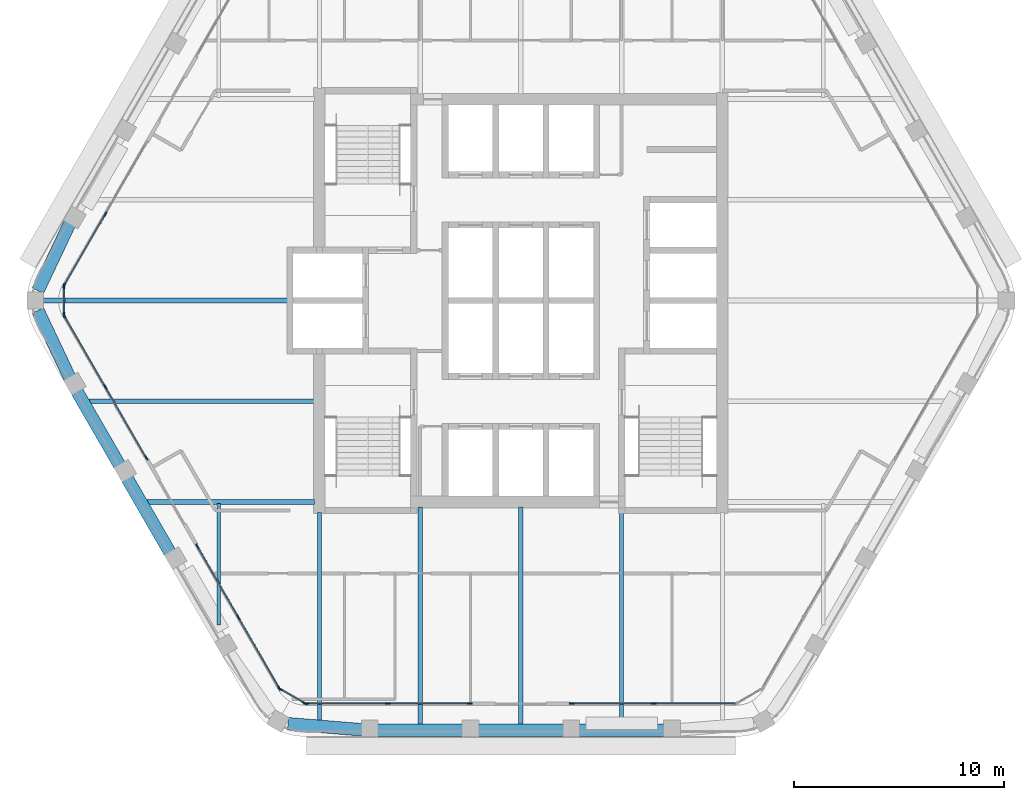
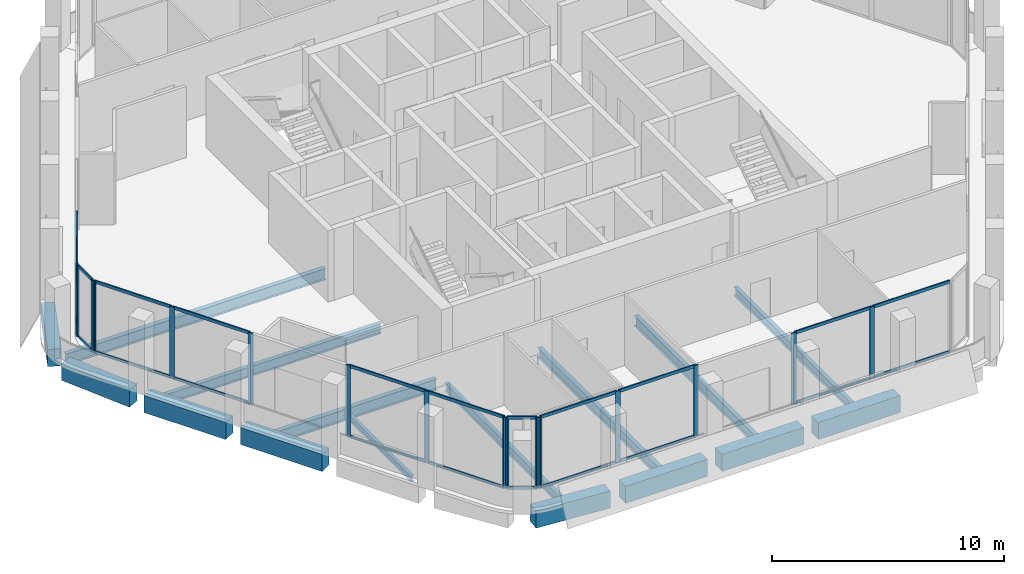
# One storey, part 2 of 13: 39 members, 16 beams, 7 elements without a shape of their own.
"""IFC4 building model written with IfcOpenShell, lengths in metres."""

from ifc_helpers import new_model, si_unit, direction, frame, origin, origin_2d, place, context, subcontext, project, spatial, rectangle, i_section, extrude, material, material_profile, profile_set, type_object, element, aggregate, save


model = new_model("IFC4")

# Units and contexts
model_context = context("Model", 3, precision=1e-05, world=origin(), true_north=direction((0.0, 1.0)))
body_context = subcontext(model_context, "Body", "Model", "MODEL_VIEW")
ifc_project = project(units=[si_unit("LENGTHUNIT", "METRE"), si_unit("AREAUNIT", "SQUARE_METRE"), si_unit("VOLUMEUNIT", "CUBIC_METRE"), si_unit("PLANEANGLEUNIT", "RADIAN"), si_unit("MASSUNIT", "GRAM", prefix="KILO")], contexts=[model_context])

# Site, building, storey
site_placement = place(None, origin())
site = spatial("IfcSite", under=ifc_project, at=site_placement, CompositionType="ELEMENT")
building_placement = place(site_placement, origin())
building = spatial("IfcBuilding", under=site, at=building_placement, Name="Kolab Exchange Tower", CompositionType="ELEMENT")
storey_placement = place(building_placement, frame((0.0, 0.0, 226.699951171875)))
storey = spatial("IfcBuildingStorey", under=building, at=storey_placement, Name="L49", CompositionType="ELEMENT", Elevation=226.699951171875)

# Beams
ifc_material_1 = material(Name="Steel S355", Category="steel")
ifc_material_profile_1 = material_profile(ifc_material_1, i_section(OverallWidth=0.1650390625, OverallDepth=0.31005859375, WebThickness=0.005859375, FlangeThickness=0.009765625, at=origin_2d()), Name="W310X39")
ifc_profile_set_1 = profile_set([ifc_material_profile_1], Name="Steel S355")
beam_type_1 = type_object("IfcBeamType", Name="FLOOR BEAM W310X39", PredefinedType="BEAM", material=ifc_profile_set_1)
beam_1_placement = place(storey_placement, frame((-14.39990234375, -15.4677734375, -0.304931640625), z_axis=(0.0, 1.0, 0.0), x_axis=(-1.0, 0.0, 0.0)))
element("IfcBeam", 1, at=beam_1_placement, inside=storey, type_object=beam_type_1, Name="beam/L49/fr/003", PredefinedType="BEAM", context=body_context, shape_type="SweptSolid", body=[
    extrude(i_section(OverallWidth=0.1650390625, OverallDepth=0.31005859375, WebThickness=0.005859375, FlangeThickness=0.009765625, at=origin_2d()), origin(), (0.0, 0.0, 1.0), 5.793701171875),
])
ifc_material_profile_2 = material_profile(ifc_material_1, i_section(OverallWidth=0.18994140625, OverallDepth=0.45703125, WebThickness=0.009033203125, FlangeThickness=0.014404296875, at=origin_2d()), Name="W460X74")
ifc_profile_set_2 = profile_set([ifc_material_profile_2], Name="Steel S355")
beam_type_2 = type_object("IfcBeamType", Name="FLOOR BEAM W460X74", PredefinedType="BEAM", material=ifc_profile_set_2)
beam_2_placement = place(storey_placement, frame((-9.60009765625, -20.027099609375, -0.37841796875), z_axis=(0.0, 1.0, 0.0), x_axis=(-1.0, 0.0, 0.0)))
element("IfcBeam", 2, at=beam_2_placement, inside=storey, type_object=beam_type_2, Name="beam/L49/fr/005", PredefinedType="BEAM", context=body_context, shape_type="SweptSolid", body=[
    extrude(i_section(OverallWidth=0.18994140625, OverallDepth=0.45703125, WebThickness=0.009033203125, FlangeThickness=0.014404296875, at=origin_2d()), origin(), (0.0, 0.0, 1.0), 9.9169921875),
])
beam_3_placement = place(storey_placement, frame((4.800048828125, -20.224609375, -0.37841796875), z_axis=(0.0, 1.0, 0.0), x_axis=(-1.0, 0.0, 0.0)))
element("IfcBeam", 3, at=beam_3_placement, inside=storey, type_object=beam_type_2, Name="beam/L49/fr/011", PredefinedType="BEAM", context=body_context, shape_type="SweptSolid", body=[
    extrude(i_section(OverallWidth=0.18994140625, OverallDepth=0.45703125, WebThickness=0.009033203125, FlangeThickness=0.014404296875, at=origin_2d()), origin(), (0.0, 0.0, 1.0), 10.114501953125),
])
ifc_material_profile_3 = material_profile(ifc_material_1, i_section(OverallWidth=0.208984375, OverallDepth=0.532958984375, WebThickness=0.01025390625, FlangeThickness=0.015625, at=origin_2d()), Name="W530X92")
ifc_profile_set_3 = profile_set([ifc_material_profile_3], Name="Steel S355")
beam_type_3 = type_object("IfcBeamType", Name="FLOOR BEAM W530X92", PredefinedType="BEAM", material=ifc_profile_set_3)
beam_4_placement = place(storey_placement, frame((-20.575927734375, -4.800048828125, -0.41650390625), z_axis=(1.0, 0.0, 0.0), x_axis=(0.0, 1.0, 0.0)))
element("IfcBeam", 4, at=beam_4_placement, inside=storey, type_object=beam_type_3, Name="beam/L49/fr/001", PredefinedType="BEAM", context=body_context, shape_type="SweptSolid", body=[
    extrude(i_section(OverallWidth=0.208984375, OverallDepth=0.532958984375, WebThickness=0.01025390625, FlangeThickness=0.015625, at=origin_2d()), origin(), (0.0, 0.0, 1.0), 10.740966796875),
])
for number, where, z_axis, x_axis, name in (
    (5, (-4.800048828125, -20.224609375, -0.41650390625), (0.0, 1.0, 0.0), (-1.0, 0.0, 0.0), "beam/L49/fr/007"),
    (6, (0.0, -20.224609375, -0.41650390625), (0.0, 1.0, 0.0), (-1.0, 0.0, 0.0), "beam/L49/fr/009"),
):
    element("IfcBeam", number, at=place(storey_placement, frame(where, z_axis=z_axis, x_axis=x_axis)), inside=storey, type_object=beam_type_3, Name=name, PredefinedType="BEAM", context=body_context, shape_type="SweptSolid", body=[
        extrude(i_section(OverallWidth=0.208984375, OverallDepth=0.532958984375, WebThickness=0.01025390625, FlangeThickness=0.015625, at=origin_2d()), origin(), (0.0, 0.0, 1.0), 10.3896484375),
    ])
ifc_material_profile_4 = material_profile(ifc_material_1, i_section(OverallWidth=0.22802734375, OverallDepth=0.60791015625, WebThickness=0.01123046875, FlangeThickness=0.017333984375, at=origin_2d()), Name="W610X113")
ifc_profile_set_4 = profile_set([ifc_material_profile_4], Name="Steel S355")
beam_type_4 = type_object("IfcBeamType", Name="FLOOR BEAM W610X113", PredefinedType="BEAM", material=ifc_profile_set_4)
beam_5_placement = place(storey_placement, frame((-22.77587890625, 0.0, -0.453857421875), z_axis=(1.0, 0.0, 0.0), x_axis=(0.0, 1.0, 0.0)))
element("IfcBeam", 7, at=beam_5_placement, inside=storey, type_object=beam_type_4, Name="beam/L49/fr/000", PredefinedType="BEAM", context=body_context, shape_type="SweptSolid", body=[
    extrude(i_section(OverallWidth=0.22802734375, OverallDepth=0.60791015625, WebThickness=0.01123046875, FlangeThickness=0.017333984375, at=origin_2d()), origin(), (0.0, 0.0, 1.0), 12.94091796875),
])
ifc_material_profile_5 = material_profile(ifc_material_1, i_section(OverallWidth=0.22802734375, OverallDepth=0.60791015625, WebThickness=0.01123046875, FlangeThickness=0.017333984375, at=origin_2d()), Name="W610X113")
ifc_profile_set_5 = profile_set([ifc_material_profile_5], Name="Steel S355")
beam_type_5 = type_object("IfcBeamType", Name="FLOOR GIRDER W610X113", PredefinedType="BEAM", material=ifc_profile_set_5)
beam_6_placement = place(storey_placement, frame((-17.8046875, -9.60009765625, -0.453857421875), z_axis=(1.0, 0.0, 0.0), x_axis=(0.0, 1.0, 0.0)))
element("IfcBeam", 8, at=beam_6_placement, inside=storey, type_object=beam_type_5, Name="beam/L49/gd/000", PredefinedType="BEAM", context=body_context, shape_type="SweptSolid", body=[
    extrude(i_section(OverallWidth=0.22802734375, OverallDepth=0.60791015625, WebThickness=0.01123046875, FlangeThickness=0.017333984375, at=origin_2d()), origin(), (0.0, 0.0, 1.0), 7.9697265625),
])
ifc_material_2 = material(Name="Concrete C50/60", Category="concrete")
ifc_material_profile_6 = material_profile(ifc_material_2, rectangle(XDim=0.60009765625, YDim=0.89990234375, at=origin_2d()), Name="RC600X900")
ifc_profile_set_6 = profile_set([ifc_material_profile_6], Name="Concrete C50/60")
beam_type_6 = type_object("IfcBeamType", Name="SPANDREL BEAM 600X900 C50/60", PredefinedType="BEAM", material=ifc_profile_set_6)
for number, where, z_axis, x_axis, name in (
    (9, (6.840087890625, -20.484619140625, -0.599853515625), (-1.0, 0.0, 0.0), (0.0, -1.0, 0.0), "beam/L49/sp/F4-02"),
    (10, (2.0400390625, -20.484619140625, -0.599853515625), (-1.0, 0.0, 0.0), (0.0, -1.0, 0.0), "beam/L49/sp/F4-03"),
    (11, (-2.760009765625, -20.484619140625, -0.599853515625), (-1.0, 0.0, 0.0), (0.0, -1.0, 0.0), "beam/L49/sp/F4-04"),
):
    element("IfcBeam", number, at=place(storey_placement, frame(where, z_axis=z_axis, x_axis=x_axis)), inside=storey, type_object=beam_type_6, Name=name, PredefinedType="BEAM", context=body_context, shape_type="SweptSolid", body=[
        extrude(rectangle(XDim=0.60009765625, YDim=0.89990234375, at=origin_2d()), origin(), (0.0, 0.0, 1.0), 4.080078125),
    ])
beam_7_placement = place(storey_placement, frame((-7.56005859375, -20.455078125, -0.599853515625), z_axis=(-0.996666146873, 0.081587938307, 0.0), x_axis=(-0.081587938307, -0.996666146873, 0.0)))
element("IfcBeam", 12, at=beam_7_placement, inside=storey, type_object=beam_type_6, Name="beam/L49/sp/F4-05", PredefinedType="BEAM", context=body_context, shape_type="SweptSolid", body=[
    extrude(rectangle(XDim=0.60009765625, YDim=0.89990234375, at=origin_2d()), origin(), (0.0, 0.0, 1.0), 3.548828125),
])
for number, where, z_axis, x_axis, name in (
    (13, (-16.72021484375, -12.009033203125, -0.599853515625), (-0.500000428765, 0.866025156237, 0.0), (-0.866025156237, -0.500000428765, 0.0), "beam/L49/sp/F5-03"),
    (14, (-19.1201171875, -7.85205078125, -0.599853515625), (-0.500000428765, 0.866025156237, 0.0), (-0.866025156237, -0.500000428765, 0.0), "beam/L49/sp/F5-04"),
):
    element("IfcBeam", number, at=place(storey_placement, frame(where, z_axis=z_axis, x_axis=x_axis)), inside=storey, type_object=beam_type_6, Name=name, PredefinedType="BEAM", context=body_context, shape_type="SweptSolid", body=[
        extrude(rectangle(XDim=0.60009765625, YDim=0.89990234375, at=origin_2d()), origin(), (0.0, 0.0, 1.0), 4.080078125),
    ])
for number, where, z_axis, x_axis, name in (
    (15, (-21.49462890625, -3.68017578125, -0.599853515625), (-0.427707770851, 0.903917066303, 0.0), (-0.903917066303, -0.427707770851, 0.0), "beam/L49/sp/F5-05"),
    (16, (-23.012451171875, 0.472412109375, -0.599853515625), (0.427707770851, 0.903917066303, 0.0), (-0.903917066303, 0.427707770851, 0.0), "beam/L49/sp/F6-01"),
):
    element("IfcBeam", number, at=place(storey_placement, frame(where, z_axis=z_axis, x_axis=x_axis)), inside=storey, type_object=beam_type_6, Name=name, PredefinedType="BEAM", context=body_context, shape_type="SweptSolid", body=[
        extrude(rectangle(XDim=0.60009765625, YDim=0.89990234375, at=origin_2d()), origin(), (0.0, 0.0, 1.0), 3.548828125),
    ])

# Curtain wall, members
ifc_material_3 = material(Name="Aluminium EN AW-6063 T6", Category="aluminium")
curtain_wall_type = type_object("IfcCurtainWallType", Name="UNITISED HIGH ZONE CURTAIN WALL", PredefinedType="NOTDEFINED", material=ifc_material_3)
curtain_wall_1_placement = place(storey_placement, origin())
curtain_wall_1 = element("IfcCurtainWall", 17, at=curtain_wall_1_placement, inside=storey, type_object=curtain_wall_type, Name="cw/L49/F4-1", PredefinedType="NOTDEFINED")
ifc_material_profile_7 = material_profile(ifc_material_3, rectangle(XDim=0.06005859375, YDim=0.239990234375, at=origin_2d()), Name="RECT 60X240")
ifc_profile_set_7 = profile_set([ifc_material_profile_7], Name="Aluminium EN AW-6063 T6")
member_type_1 = type_object("IfcMemberType", Name="UNITISED HIGH ZONE MULLION 60 X 240", PredefinedType="MULLION", material=ifc_profile_set_7)
member_1_placement = place(storey_placement, frame((6.333984375, -19.20458984375, 0.0), z_axis=(0.0, 0.0, 1.0), x_axis=(0.0, -1.0, 0.0)))
member_1 = element("IfcMember", 18, at=member_1_placement, type_object=member_type_1, Name="CW4 mullion 2", PredefinedType="MULLION", context=body_context, shape_type="SweptSolid", body=[
    extrude(rectangle(XDim=0.06005859375, YDim=0.239990234375, at=origin_2d()), origin(), (0.0, 0.0, 1.0), 3.75),
])
member_2_placement = place(storey_placement, frame((2.429931640625, -19.20458984375, 0.0), z_axis=(0.0, 0.0, 1.0), x_axis=(0.0, -1.0, 0.0)))
member_2 = element("IfcMember", 19, at=member_2_placement, type_object=member_type_1, Name="CW4 mullion 3", PredefinedType="MULLION", context=body_context, shape_type="SweptSolid", body=[
    extrude(rectangle(XDim=0.06005859375, YDim=0.239990234375, at=origin_2d()), origin(), (0.0, 0.0, 1.0), 3.75),
])

curtain_wall_2_placement = place(storey_placement, origin())
curtain_wall_2 = element("IfcCurtainWall", 20, at=curtain_wall_2_placement, inside=storey, type_object=curtain_wall_type, Name="cw/L49/F4-2", PredefinedType="NOTDEFINED")
member_3_placement = place(storey_placement, frame((-2.429931640625, -19.20458984375, 0.0), z_axis=(0.0, 0.0, 1.0), x_axis=(0.0, -1.0, 0.0)))
member_3 = element("IfcMember", 21, at=member_3_placement, type_object=member_type_1, Name="CW4 mullion 1", PredefinedType="MULLION", context=body_context, shape_type="SweptSolid", body=[
    extrude(rectangle(XDim=0.06005859375, YDim=0.239990234375, at=origin_2d()), origin(), (0.0, 0.0, 1.0), 3.75),
])
member_4_placement = place(storey_placement, frame((-6.333984375, -19.20458984375, 0.0), z_axis=(0.0, 0.0, 1.0), x_axis=(0.0, -1.0, 0.0)))
member_4 = element("IfcMember", 22, at=member_4_placement, type_object=member_type_1, Name="CW4 mullion 2", PredefinedType="MULLION", context=body_context, shape_type="SweptSolid", body=[
    extrude(rectangle(XDim=0.06005859375, YDim=0.239990234375, at=origin_2d()), origin(), (0.0, 0.0, 1.0), 3.75),
])
member_5_placement = place(storey_placement, frame((-10.238037109375, -19.20458984375, 0.0), z_axis=(0.0, 0.0, 1.0), x_axis=(0.0, -1.0, 0.0)))
member_5 = element("IfcMember", 23, at=member_5_placement, type_object=member_type_1, Name="CW4 mullion 3", PredefinedType="MULLION", context=body_context, shape_type="SweptSolid", body=[
    extrude(rectangle(XDim=0.06005859375, YDim=0.239990234375, at=origin_2d()), origin(), (0.0, 0.0, 1.0), 3.75),
])

curtain_wall_3_placement = place(storey_placement, origin())
curtain_wall_3 = element("IfcCurtainWall", 24, at=curtain_wall_3_placement, inside=storey, type_object=curtain_wall_type, Name="cw/L49/F5-1", PredefinedType="NOTDEFINED")
member_6_placement = place(storey_placement, frame((-11.5126953125, -18.46875, 0.0), z_axis=(0.0, 0.0, 1.0), x_axis=(-0.866025385493, -0.500000031681, 0.0)))
member_6 = element("IfcMember", 25, at=member_6_placement, type_object=member_type_1, Name="CW4 mullion 1", PredefinedType="MULLION", context=body_context, shape_type="SweptSolid", body=[
    extrude(rectangle(XDim=0.06005859375, YDim=0.239990234375, at=origin_2d()), origin(), (0.0, 0.0, 1.0), 3.75),
])
member_7_placement = place(storey_placement, frame((-13.464599609375, -15.087646484375, 0.0), z_axis=(0.0, 0.0, 1.0), x_axis=(-0.866025385493, -0.500000031681, 0.0)))
member_7 = element("IfcMember", 26, at=member_7_placement, type_object=member_type_1, Name="CW4 mullion 2", PredefinedType="MULLION", context=body_context, shape_type="SweptSolid", body=[
    extrude(rectangle(XDim=0.06005859375, YDim=0.239990234375, at=origin_2d()), origin(), (0.0, 0.0, 1.0), 3.75),
])
member_8_placement = place(storey_placement, frame((-15.416748046875, -11.706787109375, 0.0), z_axis=(0.0, 0.0, 1.0), x_axis=(-0.866025385493, -0.500000031681, 0.0)))
member_8 = element("IfcMember", 27, at=member_8_placement, type_object=member_type_1, Name="CW4 mullion 3", PredefinedType="MULLION", context=body_context, shape_type="SweptSolid", body=[
    extrude(rectangle(XDim=0.06005859375, YDim=0.239990234375, at=origin_2d()), origin(), (0.0, 0.0, 1.0), 3.75),
])

curtain_wall_4_placement = place(storey_placement, origin())
curtain_wall_4 = element("IfcCurtainWall", 28, at=curtain_wall_4_placement, inside=storey, type_object=curtain_wall_type, Name="cw/L49/F5-2", PredefinedType="NOTDEFINED")
member_9_placement = place(storey_placement, frame((-17.8466796875, -7.497802734375, 0.0), z_axis=(0.0, 0.0, 1.0), x_axis=(-0.866025440524, -0.499999936366, 0.0)))
member_9 = element("IfcMember", 29, at=member_9_placement, type_object=member_type_1, Name="CW4 mullion 1", PredefinedType="MULLION", context=body_context, shape_type="SweptSolid", body=[
    extrude(rectangle(XDim=0.06005859375, YDim=0.239990234375, at=origin_2d()), origin(), (0.0, 0.0, 1.0), 3.75),
])
member_10_placement = place(storey_placement, frame((-19.798583984375, -4.116943359375, 0.0), z_axis=(0.0, 0.0, 1.0), x_axis=(-0.866025440524, -0.499999936366, 0.0)))
member_10 = element("IfcMember", 30, at=member_10_placement, type_object=member_type_1, Name="CW4 mullion 2", PredefinedType="MULLION", context=body_context, shape_type="SweptSolid", body=[
    extrude(rectangle(XDim=0.06005859375, YDim=0.239990234375, at=origin_2d()), origin(), (0.0, 0.0, 1.0), 3.75),
])
member_11_placement = place(storey_placement, frame((-21.750732421875, -0.736083984375, 0.0), z_axis=(0.0, 0.0, 1.0), x_axis=(-0.866025440524, -0.499999936366, 0.0)))
member_11 = element("IfcMember", 31, at=member_11_placement, type_object=member_type_1, Name="CW4 mullion 3", PredefinedType="MULLION", context=body_context, shape_type="SweptSolid", body=[
    extrude(rectangle(XDim=0.06005859375, YDim=0.239990234375, at=origin_2d()), origin(), (0.0, 0.0, 1.0), 3.75),
])

curtain_wall_5_placement = place(storey_placement, origin())
curtain_wall_5 = element("IfcCurtainWall", 32, at=curtain_wall_5_placement, inside=storey, type_object=curtain_wall_type, Name="cw/L49/F6-1", PredefinedType="NOTDEFINED")
member_12_placement = place(storey_placement, frame((-21.750732421875, 0.736083984375, 0.0), z_axis=(0.0, 0.0, 1.0), x_axis=(-0.866025440524, 0.499999936366, 0.0)))
member_12 = element("IfcMember", 33, at=member_12_placement, type_object=member_type_1, Name="CW4 mullion 1", PredefinedType="MULLION", context=body_context, shape_type="SweptSolid", body=[
    extrude(rectangle(XDim=0.06005859375, YDim=0.239990234375, at=origin_2d()), origin(), (0.0, 0.0, 1.0), 3.75),
])
member_13_placement = place(storey_placement, frame((-19.798583984375, 4.116943359375, 0.0), z_axis=(0.0, 0.0, 1.0), x_axis=(-0.866025440524, 0.499999936366, 0.0)))
member_13 = element("IfcMember", 34, at=member_13_placement, type_object=member_type_1, Name="CW4 mullion 2", PredefinedType="MULLION", context=body_context, shape_type="SweptSolid", body=[
    extrude(rectangle(XDim=0.06005859375, YDim=0.239990234375, at=origin_2d()), origin(), (0.0, 0.0, 1.0), 3.75),
])

curtain_wall_6_placement = place(storey_placement, origin())
curtain_wall_6 = element("IfcCurtainWall", 35, at=curtain_wall_6_placement, inside=storey, type_object=curtain_wall_type, Name="cw/L49/F4F5-corner", PredefinedType="NOTDEFINED")
member_14_placement = place(storey_placement, frame((-10.2939453125, -19.189697265625, 0.0), z_axis=(0.0, 0.0, 1.0), x_axis=(-0.50000002237, -0.866025390869, 0.0)))
member_14 = element("IfcMember", 36, at=member_14_placement, type_object=member_type_1, Name="CW4 mullion 1", PredefinedType="MULLION", context=body_context, shape_type="SweptSolid", body=[
    extrude(rectangle(XDim=0.06005859375, YDim=0.239990234375, at=origin_2d()), origin(), (0.0, 0.0, 1.0), 3.75),
])
member_15_placement = place(storey_placement, frame((-11.4716796875, -18.509521484375, 0.0), z_axis=(0.0, 0.0, 1.0), x_axis=(-0.50000002237, -0.866025390869, 0.0)))
member_15 = element("IfcMember", 37, at=member_15_placement, type_object=member_type_1, Name="CW4 mullion 2", PredefinedType="MULLION", context=body_context, shape_type="SweptSolid", body=[
    extrude(rectangle(XDim=0.06005859375, YDim=0.239990234375, at=origin_2d()), origin(), (0.0, 0.0, 1.0), 3.75),
])

curtain_wall_7_placement = place(storey_placement, origin())
curtain_wall_7 = element("IfcCurtainWall", 38, at=curtain_wall_7_placement, inside=storey, type_object=curtain_wall_type, Name="cw/L49/F5F6-corner", PredefinedType="NOTDEFINED")
member_16_placement = place(storey_placement, frame((-21.765625, -0.679931640625, 0.0), z_axis=(0.0, 0.0, 1.0), x_axis=(-1.0, 0.0, 0.0)))
member_16 = element("IfcMember", 39, at=member_16_placement, type_object=member_type_1, Name="CW4 mullion 1", PredefinedType="MULLION", context=body_context, shape_type="SweptSolid", body=[
    extrude(rectangle(XDim=0.06005859375, YDim=0.239990234375, at=origin_2d()), origin(), (0.0, 0.0, 1.0), 3.75),
])
member_17_placement = place(storey_placement, frame((-21.765625, 0.679931640625, 0.0), z_axis=(0.0, 0.0, 1.0), x_axis=(-1.0, 0.0, 0.0)))
member_17 = element("IfcMember", 40, at=member_17_placement, type_object=member_type_1, Name="CW4 mullion 2", PredefinedType="MULLION", context=body_context, shape_type="SweptSolid", body=[
    extrude(rectangle(XDim=0.06005859375, YDim=0.239990234375, at=origin_2d()), origin(), (0.0, 0.0, 1.0), 3.75),
])

# Member
ifc_material_profile_8 = material_profile(ifc_material_3, rectangle(XDim=0.06005859375, YDim=0.159912109375, at=origin_2d()), Name="RECT 60X160")
ifc_profile_set_8 = profile_set([ifc_material_profile_8], Name="Aluminium EN AW-6063 T6")
member_type_2 = type_object("IfcMemberType", Name="UNITISED HIGH ZONE TRANSOM 60 X 160", PredefinedType="USERDEFINED", material=ifc_profile_set_8)
member_18_placement = place(storey_placement, frame((10.2080078125, -19.20458984375, 0.030029296875), z_axis=(-1.0, 0.0, 0.0), x_axis=(0.0, -1.0, 0.0)))
member_18 = element("IfcMember", 41, at=member_18_placement, type_object=member_type_2, Name="CW4 transom 1.1", ObjectType="TRANSOM", PredefinedType="USERDEFINED", context=body_context, shape_type="SweptSolid", body=[
    extrude(rectangle(XDim=0.06005859375, YDim=0.159912109375, at=origin_2d()), origin(), (0.0, 0.0, 1.0), 3.843994140625),
])

member_19_placement = place(storey_placement, frame((10.2080078125, -19.20458984375, 3.719970703125), z_axis=(-1.0, 0.0, 0.0), x_axis=(0.0, -1.0, 0.0)))
member_19 = element("IfcMember", 42, at=member_19_placement, type_object=member_type_2, Name="CW4 transom 1.2", ObjectType="TRANSOM", PredefinedType="USERDEFINED", context=body_context, shape_type="SweptSolid", body=[
    extrude(rectangle(XDim=0.06005859375, YDim=0.159912109375, at=origin_2d()), origin(), (0.0, 0.0, 1.0), 3.843994140625),
])

member_20_placement = place(storey_placement, frame((6.303955078125, -19.20458984375, 0.030029296875), z_axis=(-1.0, 0.0, 0.0), x_axis=(0.0, -1.0, 0.0)))
member_20 = element("IfcMember", 43, at=member_20_placement, type_object=member_type_2, Name="CW4 transom 2.1", ObjectType="TRANSOM", PredefinedType="USERDEFINED", context=body_context, shape_type="SweptSolid", body=[
    extrude(rectangle(XDim=0.06005859375, YDim=0.159912109375, at=origin_2d()), origin(), (0.0, 0.0, 1.0), 3.843994140625),
])

member_21_placement = place(storey_placement, frame((6.303955078125, -19.20458984375, 3.719970703125), z_axis=(-1.0, 0.0, 0.0), x_axis=(0.0, -1.0, 0.0)))
member_21 = element("IfcMember", 44, at=member_21_placement, type_object=member_type_2, Name="CW4 transom 2.2", ObjectType="TRANSOM", PredefinedType="USERDEFINED", context=body_context, shape_type="SweptSolid", body=[
    extrude(rectangle(XDim=0.06005859375, YDim=0.159912109375, at=origin_2d()), origin(), (0.0, 0.0, 1.0), 3.843994140625),
])

aggregate(curtain_wall_1, [member_1, member_2, member_18, member_19, member_20, member_21])

member_22_placement = place(storey_placement, frame((-2.4599609375, -19.20458984375, 0.030029296875), z_axis=(-1.0, 0.0, 0.0), x_axis=(0.0, -1.0, 0.0)))
member_22 = element("IfcMember", 45, at=member_22_placement, type_object=member_type_2, Name="CW4 transom 1.1", ObjectType="TRANSOM", PredefinedType="USERDEFINED", context=body_context, shape_type="SweptSolid", body=[
    extrude(rectangle(XDim=0.06005859375, YDim=0.159912109375, at=origin_2d()), origin(), (0.0, 0.0, 1.0), 3.843994140625),
])

member_23_placement = place(storey_placement, frame((-2.4599609375, -19.20458984375, 3.719970703125), z_axis=(-1.0, 0.0, 0.0), x_axis=(0.0, -1.0, 0.0)))
member_23 = element("IfcMember", 46, at=member_23_placement, type_object=member_type_2, Name="CW4 transom 1.2", ObjectType="TRANSOM", PredefinedType="USERDEFINED", context=body_context, shape_type="SweptSolid", body=[
    extrude(rectangle(XDim=0.06005859375, YDim=0.159912109375, at=origin_2d()), origin(), (0.0, 0.0, 1.0), 3.843994140625),
])

member_24_placement = place(storey_placement, frame((-6.364013671875, -19.20458984375, 0.030029296875), z_axis=(-1.0, 0.0, 0.0), x_axis=(0.0, -1.0, 0.0)))
member_24 = element("IfcMember", 47, at=member_24_placement, type_object=member_type_2, Name="CW4 transom 2.1", ObjectType="TRANSOM", PredefinedType="USERDEFINED", context=body_context, shape_type="SweptSolid", body=[
    extrude(rectangle(XDim=0.06005859375, YDim=0.159912109375, at=origin_2d()), origin(), (0.0, 0.0, 1.0), 3.843994140625),
])

member_25_placement = place(storey_placement, frame((-6.364013671875, -19.20458984375, 3.719970703125), z_axis=(-1.0, 0.0, 0.0), x_axis=(0.0, -1.0, 0.0)))
member_25 = element("IfcMember", 48, at=member_25_placement, type_object=member_type_2, Name="CW4 transom 2.2", ObjectType="TRANSOM", PredefinedType="USERDEFINED", context=body_context, shape_type="SweptSolid", body=[
    extrude(rectangle(XDim=0.06005859375, YDim=0.159912109375, at=origin_2d()), origin(), (0.0, 0.0, 1.0), 3.843994140625),
])

aggregate(curtain_wall_2, [member_3, member_4, member_5, member_22, member_23, member_24, member_25])

member_26_placement = place(storey_placement, frame((-11.527587890625, -18.442626953125, 0.030029296875), z_axis=(-0.500039492609, 0.866002601515, 0.0), x_axis=(-0.866002601515, -0.500039492609, 0.0)))
member_26 = element("IfcMember", 49, at=member_26_placement, type_object=member_type_2, Name="CW4 transom 1.1", ObjectType="TRANSOM", PredefinedType="USERDEFINED", context=body_context, shape_type="SweptSolid", body=[
    extrude(rectangle(XDim=0.06005859375, YDim=0.159912109375, at=origin_2d()), origin(), (0.0, 0.0, 1.0), 3.843994140625),
])

member_27_placement = place(storey_placement, frame((-11.527587890625, -18.442626953125, 3.719970703125), z_axis=(-0.500039492609, 0.866002601515, 0.0), x_axis=(-0.866002601515, -0.500039492609, 0.0)))
member_27 = element("IfcMember", 50, at=member_27_placement, type_object=member_type_2, Name="CW4 transom 1.2", ObjectType="TRANSOM", PredefinedType="USERDEFINED", context=body_context, shape_type="SweptSolid", body=[
    extrude(rectangle(XDim=0.06005859375, YDim=0.159912109375, at=origin_2d()), origin(), (0.0, 0.0, 1.0), 3.843994140625),
])

member_28_placement = place(storey_placement, frame((-13.479736328125, -15.061767578125, 0.030029296875), z_axis=(-0.499964356602, 0.866045981532, 0.0), x_axis=(-0.866045981532, -0.499964356602, 0.0)))
member_28 = element("IfcMember", 51, at=member_28_placement, type_object=member_type_2, Name="CW4 transom 2.1", ObjectType="TRANSOM", PredefinedType="USERDEFINED", context=body_context, shape_type="SweptSolid", body=[
    extrude(rectangle(XDim=0.06005859375, YDim=0.159912109375, at=origin_2d()), origin(), (0.0, 0.0, 1.0), 3.843994140625),
])

member_29_placement = place(storey_placement, frame((-13.479736328125, -15.061767578125, 3.719970703125), z_axis=(-0.499964356602, 0.866045981532, 0.0), x_axis=(-0.866045981532, -0.499964356602, 0.0)))
member_29 = element("IfcMember", 52, at=member_29_placement, type_object=member_type_2, Name="CW4 transom 2.2", ObjectType="TRANSOM", PredefinedType="USERDEFINED", context=body_context, shape_type="SweptSolid", body=[
    extrude(rectangle(XDim=0.06005859375, YDim=0.159912109375, at=origin_2d()), origin(), (0.0, 0.0, 1.0), 3.843994140625),
])

aggregate(curtain_wall_3, [member_6, member_7, member_8, member_26, member_27, member_28, member_29])

member_30_placement = place(storey_placement, frame((-17.861572265625, -7.471923828125, 0.030029296875), z_axis=(-0.500011990396, 0.866018481016, 0.0), x_axis=(-0.866018481016, -0.500011990396, 0.0)))
member_30 = element("IfcMember", 53, at=member_30_placement, type_object=member_type_2, Name="CW4 transom 1.1", ObjectType="TRANSOM", PredefinedType="USERDEFINED", context=body_context, shape_type="SweptSolid", body=[
    extrude(rectangle(XDim=0.06005859375, YDim=0.159912109375, at=origin_2d()), origin(), (0.0, 0.0, 1.0), 3.84423828125),
])

member_31_placement = place(storey_placement, frame((-17.861572265625, -7.471923828125, 3.719970703125), z_axis=(-0.500011990396, 0.866018481016, 0.0), x_axis=(-0.866018481016, -0.500011990396, 0.0)))
member_31 = element("IfcMember", 54, at=member_31_placement, type_object=member_type_2, Name="CW4 transom 1.2", ObjectType="TRANSOM", PredefinedType="USERDEFINED", context=body_context, shape_type="SweptSolid", body=[
    extrude(rectangle(XDim=0.06005859375, YDim=0.159912109375, at=origin_2d()), origin(), (0.0, 0.0, 1.0), 3.84423828125),
])

member_32_placement = place(storey_placement, frame((-19.813720703125, -4.0908203125, 0.030029296875), z_axis=(-0.499991857942, 0.866030104553, 0.0), x_axis=(-0.866030104553, -0.499991857942, 0.0)))
member_32 = element("IfcMember", 55, at=member_32_placement, type_object=member_type_2, Name="CW4 transom 2.1", ObjectType="TRANSOM", PredefinedType="USERDEFINED", context=body_context, shape_type="SweptSolid", body=[
    extrude(rectangle(XDim=0.06005859375, YDim=0.159912109375, at=origin_2d()), origin(), (0.0, 0.0, 1.0), 3.84375),
])

member_33_placement = place(storey_placement, frame((-19.813720703125, -4.0908203125, 3.719970703125), z_axis=(-0.499991857942, 0.866030104553, 0.0), x_axis=(-0.866030104553, -0.499991857942, 0.0)))
member_33 = element("IfcMember", 56, at=member_33_placement, type_object=member_type_2, Name="CW4 transom 2.2", ObjectType="TRANSOM", PredefinedType="USERDEFINED", context=body_context, shape_type="SweptSolid", body=[
    extrude(rectangle(XDim=0.06005859375, YDim=0.159912109375, at=origin_2d()), origin(), (0.0, 0.0, 1.0), 3.84375),
])

aggregate(curtain_wall_4, [member_9, member_10, member_11, member_30, member_31, member_32, member_33])

member_34_placement = place(storey_placement, frame((-21.735595703125, 0.761962890625, 0.030029296875), z_axis=(0.499991857942, 0.866030104553, 0.0), x_axis=(-0.866030104553, 0.499991857942, 0.0)))
member_34 = element("IfcMember", 57, at=member_34_placement, type_object=member_type_2, Name="CW4 transom 1.1", ObjectType="TRANSOM", PredefinedType="USERDEFINED", context=body_context, shape_type="SweptSolid", body=[
    extrude(rectangle(XDim=0.06005859375, YDim=0.159912109375, at=origin_2d()), origin(), (0.0, 0.0, 1.0), 3.84375),
])

member_35_placement = place(storey_placement, frame((-21.735595703125, 0.761962890625, 3.719970703125), z_axis=(0.499991857942, 0.866030104553, 0.0), x_axis=(-0.866030104553, 0.499991857942, 0.0)))
member_35 = element("IfcMember", 58, at=member_35_placement, type_object=member_type_2, Name="CW4 transom 1.2", ObjectType="TRANSOM", PredefinedType="USERDEFINED", context=body_context, shape_type="SweptSolid", body=[
    extrude(rectangle(XDim=0.06005859375, YDim=0.159912109375, at=origin_2d()), origin(), (0.0, 0.0, 1.0), 3.84375),
])

aggregate(curtain_wall_5, [member_12, member_13, member_34, member_35])

member_36_placement = place(storey_placement, frame((-10.31982421875, -19.174560546875, 0.030029296875), z_axis=(-0.866085525409, 0.49989585183, 0.0), x_axis=(-0.49989585183, -0.866085525409, 0.0)))
member_36 = element("IfcMember", 59, at=member_36_placement, type_object=member_type_2, Name="CW4 transom 1.1", ObjectType="TRANSOM", PredefinedType="USERDEFINED", context=body_context, shape_type="SweptSolid", body=[
    extrude(rectangle(XDim=0.06005859375, YDim=0.159912109375, at=origin_2d()), origin(), (0.0, 0.0, 1.0), 1.300048828125),
])

member_37_placement = place(storey_placement, frame((-10.31982421875, -19.174560546875, 3.719970703125), z_axis=(-0.866085525409, 0.49989585183, 0.0), x_axis=(-0.49989585183, -0.866085525409, 0.0)))
member_37 = element("IfcMember", 60, at=member_37_placement, type_object=member_type_2, Name="CW4 transom 1.2", ObjectType="TRANSOM", PredefinedType="USERDEFINED", context=body_context, shape_type="SweptSolid", body=[
    extrude(rectangle(XDim=0.06005859375, YDim=0.159912109375, at=origin_2d()), origin(), (0.0, 0.0, 1.0), 1.300048828125),
])

aggregate(curtain_wall_6, [member_14, member_15, member_36, member_37])

member_38_placement = place(storey_placement, frame((-21.765625, -0.64990234375, 0.030029296875), z_axis=(0.0, 1.0, 0.0), x_axis=(-1.0, 0.0, 0.0)))
member_38 = element("IfcMember", 61, at=member_38_placement, type_object=member_type_2, Name="CW4 transom 1.1", ObjectType="TRANSOM", PredefinedType="USERDEFINED", context=body_context, shape_type="SweptSolid", body=[
    extrude(rectangle(XDim=0.06005859375, YDim=0.159912109375, at=origin_2d()), origin(), (0.0, 0.0, 1.0), 1.2998046875),
])

member_39_placement = place(storey_placement, frame((-21.765625, -0.64990234375, 3.719970703125), z_axis=(0.0, 1.0, 0.0), x_axis=(-1.0, 0.0, 0.0)))
member_39 = element("IfcMember", 62, at=member_39_placement, type_object=member_type_2, Name="CW4 transom 1.2", ObjectType="TRANSOM", PredefinedType="USERDEFINED", context=body_context, shape_type="SweptSolid", body=[
    extrude(rectangle(XDim=0.06005859375, YDim=0.159912109375, at=origin_2d()), origin(), (0.0, 0.0, 1.0), 1.2998046875),
])

aggregate(curtain_wall_7, [member_16, member_17, member_38, member_39])

save(model, "model.ifc")
